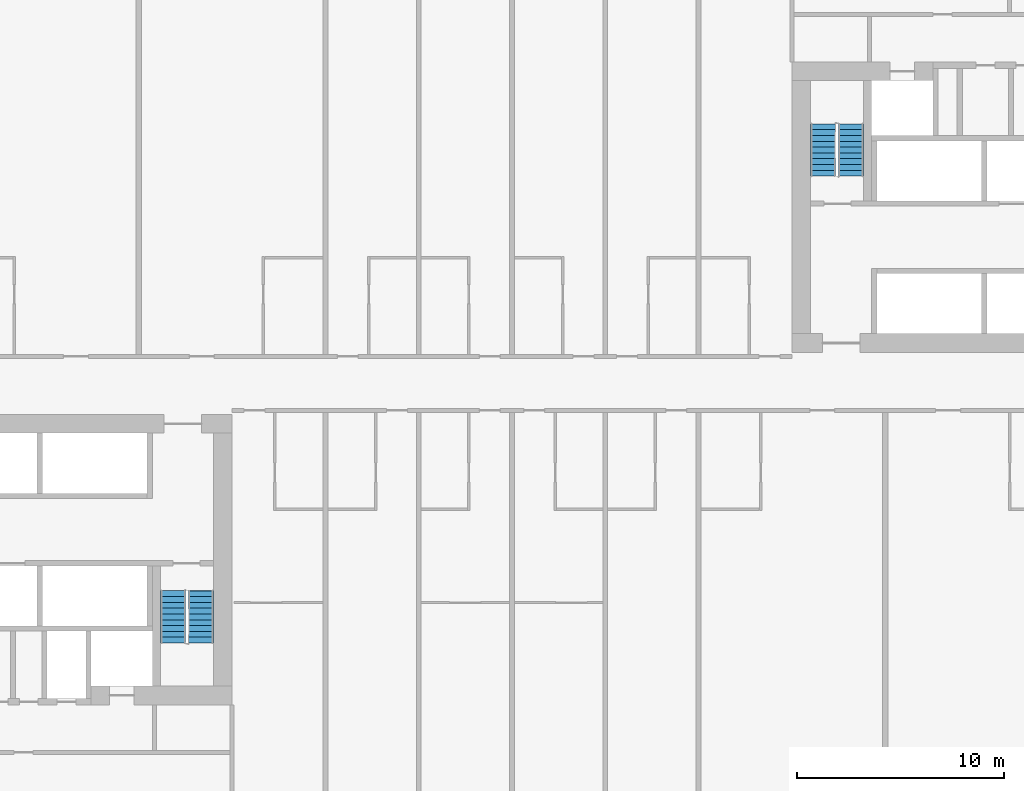
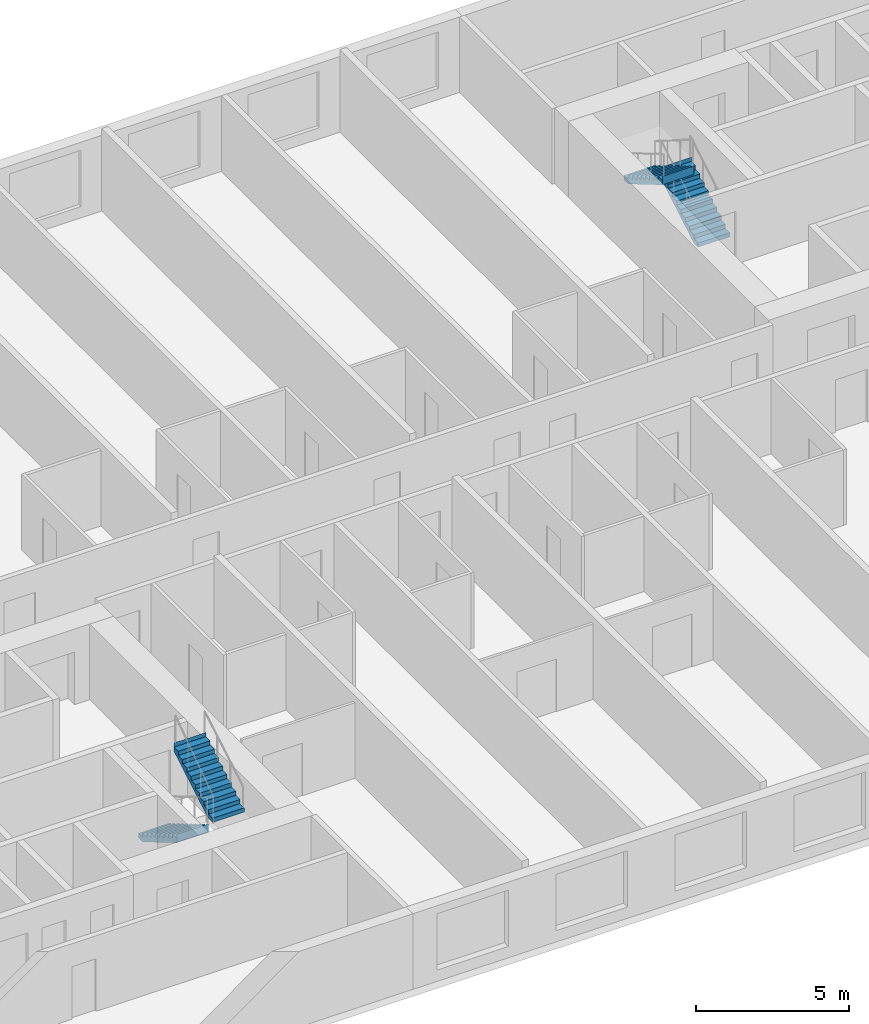
# One storey, part 10 of 12: 4 stair flights, 2 elements without a shape of their own.
"""IFC4 building model written with IfcOpenShell, lengths in metres."""

from ifc_helpers import new_model, si_unit, direction, frame, origin, place, context, subcontext, project, spatial, faceted_brep, material, type_object, element, aggregate, save


model = new_model("IFC4")

# Units and contexts
model_context = context("Model", 3, precision=1e-05, world=origin(), true_north=direction((0.0, 1.0)))
body_context = subcontext(model_context, "Body", "Model", "MODEL_VIEW")
ifc_project = project(units=[si_unit("LENGTHUNIT", "METRE"), si_unit("AREAUNIT", "SQUARE_METRE"), si_unit("VOLUMEUNIT", "CUBIC_METRE"), si_unit("PLANEANGLEUNIT", "RADIAN"), si_unit("MASSUNIT", "GRAM", prefix="KILO")], contexts=[model_context])

# Site, building, storey
site_placement = place(None, origin())
site = spatial("IfcSite", under=ifc_project, at=site_placement, CompositionType="ELEMENT")
building_placement = place(site_placement, origin())
building = spatial("IfcBuilding", under=site, at=building_placement, Name="Kajstack Hotel Tower", CompositionType="ELEMENT")
storey_placement = place(building_placement, frame((0.0, 0.0, 93.0)))
storey = spatial("IfcBuildingStorey", under=building, at=storey_placement, Name="L19", CompositionType="ELEMENT", Elevation=93.0)

# Stair, stair flights
ifc_material = material(Name="Concrete C40/50", Category="concrete")
stair_type = type_object("IfcStairType", Name="Exit stair 1200", PredefinedType="HALF_TURN_STAIR", material=ifc_material)
stair_1_placement = place(storey_placement, origin())
stair_1 = element("IfcStair", 1, at=stair_1_placement, inside=storey, type_object=stair_type, Name="L19 stair W2", PredefinedType="HALF_TURN_STAIR")
stair_flight_type = type_object("IfcStairFlightType", Name="Exit stair flight 1200", PredefinedType="STRAIGHT", material=ifc_material)
stair_flight_1_placement = place(storey_placement, frame((-16.35009765625, -10.0, 0.0), z_axis=(0.0, 0.0, 1.0), x_axis=(0.0, -1.0, 0.0)))
stair_flight_1 = element("IfcStairFlight", 2, at=stair_flight_1_placement, type_object=stair_flight_type, Name="W2 flight 1", NumberOfRisers=10, NumberOfTreads=9, PredefinedType="STRAIGHT", RiserHeight=0.165, TreadLength=0.28, context=body_context, shape_type="Brep", body=[
    faceted_brep([(0.295654296875, -0.60009765625, 0.0), (2.5205078125, -0.60009765625, 1.31103515625), (2.5205078125, -0.60009765625, 1.64990234375), (2.52001953125, -0.60009765625, 1.64990234375), (2.52001953125, -0.60009765625, 1.485107421875), (2.239990234375, -0.60009765625, 1.485107421875), (2.239990234375, -0.60009765625, 1.320068359375), (1.9599609375, -0.60009765625, 1.320068359375), (1.9599609375, -0.60009765625, 1.155029296875), (1.679931640625, -0.60009765625, 1.155029296875), (1.679931640625, -0.60009765625, 0.989990234375), (1.39990234375, -0.60009765625, 0.989990234375), (1.39990234375, -0.60009765625, 0.824951171875), (1.1201171875, -0.60009765625, 0.824951171875), (1.1201171875, -0.60009765625, 0.659912109375), (0.840087890625, -0.60009765625, 0.659912109375), (0.840087890625, -0.60009765625, 0.4951171875), (0.56005859375, -0.60009765625, 0.4951171875), (0.56005859375, -0.60009765625, 0.330078125), (0.280029296875, -0.60009765625, 0.330078125), (0.280029296875, -0.60009765625, 0.1650390625), (-0.00048828125, -0.60009765625, 0.1650390625), (-0.00048828125, -0.60009765625, 0.0), (-0.00048828125, 0.60009765625, 0.0), (-0.00048828125, 0.60009765625, 0.1650390625), (0.280029296875, 0.60009765625, 0.1650390625), (0.280029296875, 0.60009765625, 0.330078125), (0.56005859375, 0.60009765625, 0.330078125), (0.56005859375, 0.60009765625, 0.4951171875), (0.840087890625, 0.60009765625, 0.4951171875), (0.840087890625, 0.60009765625, 0.659912109375), (1.1201171875, 0.60009765625, 0.659912109375), (1.1201171875, 0.60009765625, 0.824951171875), (1.39990234375, 0.60009765625, 0.824951171875), (1.39990234375, 0.60009765625, 0.989990234375), (1.679931640625, 0.60009765625, 0.989990234375), (1.679931640625, 0.60009765625, 1.155029296875), (1.9599609375, 0.60009765625, 1.155029296875), (1.9599609375, 0.60009765625, 1.320068359375), (2.239990234375, 0.60009765625, 1.320068359375), (2.239990234375, 0.60009765625, 1.485107421875), (2.52001953125, 0.60009765625, 1.485107421875), (2.52001953125, 0.60009765625, 1.64990234375), (2.5205078125, 0.60009765625, 1.64990234375), (2.5205078125, 0.60009765625, 1.31103515625), (0.295654296875, 0.60009765625, 0.0), (-0.00048828125, -0.300048828125, 0.1650390625), (-0.00048828125, 0.0, 0.1650390625), (-0.00048828125, 0.300048828125, 0.1650390625), (-0.00048828125, 0.300048828125, 0.0), (-0.00048828125, 0.0, 0.0), (-0.00048828125, -0.300048828125, 0.0), (0.280029296875, -0.300048828125, 0.1650390625), (0.280029296875, 0.0, 0.1650390625), (0.280029296875, 0.300048828125, 0.1650390625), (0.280029296875, -0.300048828125, 0.330078125), (0.280029296875, 0.0, 0.330078125), (0.280029296875, 0.300048828125, 0.330078125), (0.56005859375, -0.300048828125, 0.330078125), (0.56005859375, 0.0, 0.330078125), (0.56005859375, 0.300048828125, 0.330078125), (0.56005859375, -0.300048828125, 0.4951171875), (0.56005859375, 0.0, 0.4951171875), (0.56005859375, 0.300048828125, 0.4951171875), (0.840087890625, -0.300048828125, 0.4951171875), (0.840087890625, 0.0, 0.4951171875), (0.840087890625, 0.300048828125, 0.4951171875), (0.840087890625, -0.300048828125, 0.659912109375), (0.840087890625, 0.0, 0.659912109375), (0.840087890625, 0.300048828125, 0.659912109375), (1.1201171875, -0.300048828125, 0.659912109375), (1.1201171875, 0.0, 0.659912109375), (1.1201171875, 0.300048828125, 0.659912109375), (1.1201171875, -0.300048828125, 0.824951171875), (1.1201171875, 0.0, 0.824951171875), (1.1201171875, 0.300048828125, 0.824951171875), (1.39990234375, -0.300048828125, 0.824951171875), (1.39990234375, 0.0, 0.824951171875), (1.39990234375, 0.300048828125, 0.824951171875), (1.39990234375, -0.300048828125, 0.989990234375), (1.39990234375, 0.0, 0.989990234375), (1.39990234375, 0.300048828125, 0.989990234375), (1.679931640625, -0.300048828125, 0.989990234375), (1.679931640625, 0.0, 0.989990234375), (1.679931640625, 0.300048828125, 0.989990234375), (1.679931640625, -0.300048828125, 1.155029296875), (1.679931640625, 0.0, 1.155029296875), (1.679931640625, 0.300048828125, 1.155029296875), (1.9599609375, -0.300048828125, 1.155029296875), (1.9599609375, 0.0, 1.155029296875), (1.9599609375, 0.300048828125, 1.155029296875), (1.9599609375, -0.300048828125, 1.320068359375), (1.9599609375, 0.0, 1.320068359375), (1.9599609375, 0.300048828125, 1.320068359375), (2.239990234375, -0.300048828125, 1.320068359375), (2.239990234375, 0.0, 1.320068359375), (2.239990234375, 0.300048828125, 1.320068359375), (2.239990234375, -0.300048828125, 1.485107421875), (2.239990234375, 0.0, 1.485107421875), (2.239990234375, 0.300048828125, 1.485107421875), (2.52001953125, -0.300048828125, 1.485107421875), (2.52001953125, 0.0, 1.485107421875), (2.52001953125, 0.300048828125, 1.485107421875), (2.52001953125, -0.300048828125, 1.64990234375), (2.52001953125, 0.0, 1.64990234375), (2.52001953125, 0.300048828125, 1.64990234375), (2.5205078125, -0.300048828125, 1.64990234375), (2.5205078125, 0.0, 1.64990234375), (2.5205078125, 0.300048828125, 1.64990234375), (2.5205078125, -0.300048828125, 1.31103515625), (2.5205078125, 0.0, 1.31103515625), (2.5205078125, 0.300048828125, 1.31103515625), (0.295654296875, -0.300048828125, 0.0), (0.295654296875, 0.0, 0.0), (0.295654296875, 0.300048828125, 0.0)], [[[0, 1, 2, 3, 4, 5, 6, 7, 8, 9, 10, 11, 12, 13, 14, 15, 16, 17, 18, 19, 20, 21, 22]], [[23, 24, 25, 26, 27, 28, 29, 30, 31, 32, 33, 34, 35, 36, 37, 38, 39, 40, 41, 42, 43, 44, 45]], [[21, 46, 47, 48, 24, 23, 49, 50, 51, 22]], [[20, 52, 53, 54, 25, 24, 48, 47, 46, 21]], [[19, 55, 56, 57, 26, 25, 54, 53, 52, 20]], [[18, 58, 59, 60, 27, 26, 57, 56, 55, 19]], [[17, 61, 62, 63, 28, 27, 60, 59, 58, 18]], [[16, 64, 65, 66, 29, 28, 63, 62, 61, 17]], [[15, 67, 68, 69, 30, 29, 66, 65, 64, 16]], [[14, 70, 71, 72, 31, 30, 69, 68, 67, 15]], [[13, 73, 74, 75, 32, 31, 72, 71, 70, 14]], [[12, 76, 77, 78, 33, 32, 75, 74, 73, 13]], [[11, 79, 80, 81, 34, 33, 78, 77, 76, 12]], [[10, 82, 83, 84, 35, 34, 81, 80, 79, 11]], [[9, 85, 86, 87, 36, 35, 84, 83, 82, 10]], [[8, 88, 89, 90, 37, 36, 87, 86, 85, 9]], [[7, 91, 92, 93, 38, 37, 90, 89, 88, 8]], [[6, 94, 95, 96, 39, 38, 93, 92, 91, 7]], [[5, 97, 98, 99, 40, 39, 96, 95, 94, 6]], [[4, 100, 101, 102, 41, 40, 99, 98, 97, 5]], [[3, 103, 104, 105, 42, 41, 102, 101, 100, 4]], [[2, 106, 107, 108, 43, 42, 105, 104, 103, 3]], [[1, 109, 110, 111, 44, 43, 108, 107, 106, 2]], [[0, 112, 113, 114, 45, 44, 111, 110, 109, 1]], [[22, 51, 50, 49, 23, 45, 114, 113, 112, 0]]]),
])
stair_flight_2_placement = place(storey_placement, frame((-15.0, -12.52001953125, 1.64990234375), z_axis=(0.0, 0.0, 1.0), x_axis=(0.0, 1.0, 0.0)))
stair_flight_2 = element("IfcStairFlight", 3, at=stair_flight_2_placement, type_object=stair_flight_type, Name="W2 flight 2", NumberOfRisers=10, NumberOfTreads=9, PredefinedType="STRAIGHT", RiserHeight=0.165, TreadLength=0.28, context=body_context, shape_type="Brep", body=[
    faceted_brep([(0.295654296875, -0.60009765625, 0.0), (2.5205078125, -0.60009765625, 1.31103515625), (2.5205078125, -0.60009765625, 1.64990234375), (2.52001953125, -0.60009765625, 1.64990234375), (2.52001953125, -0.60009765625, 1.485107421875), (2.239990234375, -0.60009765625, 1.485107421875), (2.239990234375, -0.60009765625, 1.320068359375), (1.9599609375, -0.60009765625, 1.320068359375), (1.9599609375, -0.60009765625, 1.155029296875), (1.679931640625, -0.60009765625, 1.155029296875), (1.679931640625, -0.60009765625, 0.989990234375), (1.39990234375, -0.60009765625, 0.989990234375), (1.39990234375, -0.60009765625, 0.824951171875), (1.1201171875, -0.60009765625, 0.824951171875), (1.1201171875, -0.60009765625, 0.659912109375), (0.840087890625, -0.60009765625, 0.659912109375), (0.840087890625, -0.60009765625, 0.4951171875), (0.56005859375, -0.60009765625, 0.4951171875), (0.56005859375, -0.60009765625, 0.330078125), (0.280029296875, -0.60009765625, 0.330078125), (0.280029296875, -0.60009765625, 0.1650390625), (-0.00048828125, -0.60009765625, 0.1650390625), (-0.00048828125, -0.60009765625, 0.0), (-0.00048828125, 0.60009765625, 0.0), (-0.00048828125, 0.60009765625, 0.1650390625), (0.280029296875, 0.60009765625, 0.1650390625), (0.280029296875, 0.60009765625, 0.330078125), (0.56005859375, 0.60009765625, 0.330078125), (0.56005859375, 0.60009765625, 0.4951171875), (0.840087890625, 0.60009765625, 0.4951171875), (0.840087890625, 0.60009765625, 0.659912109375), (1.1201171875, 0.60009765625, 0.659912109375), (1.1201171875, 0.60009765625, 0.824951171875), (1.39990234375, 0.60009765625, 0.824951171875), (1.39990234375, 0.60009765625, 0.989990234375), (1.679931640625, 0.60009765625, 0.989990234375), (1.679931640625, 0.60009765625, 1.155029296875), (1.9599609375, 0.60009765625, 1.155029296875), (1.9599609375, 0.60009765625, 1.320068359375), (2.239990234375, 0.60009765625, 1.320068359375), (2.239990234375, 0.60009765625, 1.485107421875), (2.52001953125, 0.60009765625, 1.485107421875), (2.52001953125, 0.60009765625, 1.64990234375), (2.5205078125, 0.60009765625, 1.64990234375), (2.5205078125, 0.60009765625, 1.31103515625), (0.295654296875, 0.60009765625, 0.0), (-0.00048828125, -0.300048828125, 0.1650390625), (-0.00048828125, 0.0, 0.1650390625), (-0.00048828125, 0.300048828125, 0.1650390625), (-0.00048828125, 0.300048828125, 0.0), (-0.00048828125, 0.0, 0.0), (-0.00048828125, -0.300048828125, 0.0), (0.280029296875, -0.300048828125, 0.1650390625), (0.280029296875, 0.0, 0.1650390625), (0.280029296875, 0.300048828125, 0.1650390625), (0.280029296875, -0.300048828125, 0.330078125), (0.280029296875, 0.0, 0.330078125), (0.280029296875, 0.300048828125, 0.330078125), (0.56005859375, -0.300048828125, 0.330078125), (0.56005859375, 0.0, 0.330078125), (0.56005859375, 0.300048828125, 0.330078125), (0.56005859375, -0.300048828125, 0.4951171875), (0.56005859375, 0.0, 0.4951171875), (0.56005859375, 0.300048828125, 0.4951171875), (0.840087890625, -0.300048828125, 0.4951171875), (0.840087890625, 0.0, 0.4951171875), (0.840087890625, 0.300048828125, 0.4951171875), (0.840087890625, -0.300048828125, 0.659912109375), (0.840087890625, 0.0, 0.659912109375), (0.840087890625, 0.300048828125, 0.659912109375), (1.1201171875, -0.300048828125, 0.659912109375), (1.1201171875, 0.0, 0.659912109375), (1.1201171875, 0.300048828125, 0.659912109375), (1.1201171875, -0.300048828125, 0.824951171875), (1.1201171875, 0.0, 0.824951171875), (1.1201171875, 0.300048828125, 0.824951171875), (1.39990234375, -0.300048828125, 0.824951171875), (1.39990234375, 0.0, 0.824951171875), (1.39990234375, 0.300048828125, 0.824951171875), (1.39990234375, -0.300048828125, 0.989990234375), (1.39990234375, 0.0, 0.989990234375), (1.39990234375, 0.300048828125, 0.989990234375), (1.679931640625, -0.300048828125, 0.989990234375), (1.679931640625, 0.0, 0.989990234375), (1.679931640625, 0.300048828125, 0.989990234375), (1.679931640625, -0.300048828125, 1.155029296875), (1.679931640625, 0.0, 1.155029296875), (1.679931640625, 0.300048828125, 1.155029296875), (1.9599609375, -0.300048828125, 1.155029296875), (1.9599609375, 0.0, 1.155029296875), (1.9599609375, 0.300048828125, 1.155029296875), (1.9599609375, -0.300048828125, 1.320068359375), (1.9599609375, 0.0, 1.320068359375), (1.9599609375, 0.300048828125, 1.320068359375), (2.239990234375, -0.300048828125, 1.320068359375), (2.239990234375, 0.0, 1.320068359375), (2.239990234375, 0.300048828125, 1.320068359375), (2.239990234375, -0.300048828125, 1.485107421875), (2.239990234375, 0.0, 1.485107421875), (2.239990234375, 0.300048828125, 1.485107421875), (2.52001953125, -0.300048828125, 1.485107421875), (2.52001953125, 0.0, 1.485107421875), (2.52001953125, 0.300048828125, 1.485107421875), (2.52001953125, -0.300048828125, 1.64990234375), (2.52001953125, 0.0, 1.64990234375), (2.52001953125, 0.300048828125, 1.64990234375), (2.5205078125, -0.300048828125, 1.64990234375), (2.5205078125, 0.0, 1.64990234375), (2.5205078125, 0.300048828125, 1.64990234375), (2.5205078125, -0.300048828125, 1.31103515625), (2.5205078125, 0.0, 1.31103515625), (2.5205078125, 0.300048828125, 1.31103515625), (0.295654296875, -0.300048828125, 0.0), (0.295654296875, 0.0, 0.0), (0.295654296875, 0.300048828125, 0.0)], [[[0, 1, 2, 3, 4, 5, 6, 7, 8, 9, 10, 11, 12, 13, 14, 15, 16, 17, 18, 19, 20, 21, 22]], [[23, 24, 25, 26, 27, 28, 29, 30, 31, 32, 33, 34, 35, 36, 37, 38, 39, 40, 41, 42, 43, 44, 45]], [[21, 46, 47, 48, 24, 23, 49, 50, 51, 22]], [[20, 52, 53, 54, 25, 24, 48, 47, 46, 21]], [[19, 55, 56, 57, 26, 25, 54, 53, 52, 20]], [[18, 58, 59, 60, 27, 26, 57, 56, 55, 19]], [[17, 61, 62, 63, 28, 27, 60, 59, 58, 18]], [[16, 64, 65, 66, 29, 28, 63, 62, 61, 17]], [[15, 67, 68, 69, 30, 29, 66, 65, 64, 16]], [[14, 70, 71, 72, 31, 30, 69, 68, 67, 15]], [[13, 73, 74, 75, 32, 31, 72, 71, 70, 14]], [[12, 76, 77, 78, 33, 32, 75, 74, 73, 13]], [[11, 79, 80, 81, 34, 33, 78, 77, 76, 12]], [[10, 82, 83, 84, 35, 34, 81, 80, 79, 11]], [[9, 85, 86, 87, 36, 35, 84, 83, 82, 10]], [[8, 88, 89, 90, 37, 36, 87, 86, 85, 9]], [[7, 91, 92, 93, 38, 37, 90, 89, 88, 8]], [[6, 94, 95, 96, 39, 38, 93, 92, 91, 7]], [[5, 97, 98, 99, 40, 39, 96, 95, 94, 6]], [[4, 100, 101, 102, 41, 40, 99, 98, 97, 5]], [[3, 103, 104, 105, 42, 41, 102, 101, 100, 4]], [[2, 106, 107, 108, 43, 42, 105, 104, 103, 3]], [[1, 109, 110, 111, 44, 43, 108, 107, 106, 2]], [[0, 112, 113, 114, 45, 44, 111, 110, 109, 1]], [[22, 51, 50, 49, 23, 45, 114, 113, 112, 0]]]),
])
aggregate(stair_1, [stair_flight_1, stair_flight_2])

stair_2_placement = place(storey_placement, origin())
stair_2 = element("IfcStair", 4, at=stair_2_placement, inside=storey, type_object=stair_type, Name="L19 stair E2", PredefinedType="HALF_TURN_STAIR")
stair_flight_3_placement = place(storey_placement, frame((16.35009765625, 10.0, 0.0), z_axis=(0.0, 0.0, 1.0), x_axis=(0.0, 1.0, 0.0)))
stair_flight_3 = element("IfcStairFlight", 5, at=stair_flight_3_placement, type_object=stair_flight_type, Name="E2 flight 1", NumberOfRisers=10, NumberOfTreads=9, PredefinedType="STRAIGHT", RiserHeight=0.165, TreadLength=0.28, context=body_context, shape_type="Brep", body=[
    faceted_brep([(0.295654296875, -0.60009765625, 0.0), (2.5205078125, -0.60009765625, 1.31103515625), (2.5205078125, -0.60009765625, 1.64990234375), (2.52001953125, -0.60009765625, 1.64990234375), (2.52001953125, -0.60009765625, 1.485107421875), (2.239990234375, -0.60009765625, 1.485107421875), (2.239990234375, -0.60009765625, 1.320068359375), (1.9599609375, -0.60009765625, 1.320068359375), (1.9599609375, -0.60009765625, 1.155029296875), (1.679931640625, -0.60009765625, 1.155029296875), (1.679931640625, -0.60009765625, 0.989990234375), (1.39990234375, -0.60009765625, 0.989990234375), (1.39990234375, -0.60009765625, 0.824951171875), (1.1201171875, -0.60009765625, 0.824951171875), (1.1201171875, -0.60009765625, 0.659912109375), (0.840087890625, -0.60009765625, 0.659912109375), (0.840087890625, -0.60009765625, 0.4951171875), (0.56005859375, -0.60009765625, 0.4951171875), (0.56005859375, -0.60009765625, 0.330078125), (0.280029296875, -0.60009765625, 0.330078125), (0.280029296875, -0.60009765625, 0.1650390625), (-0.00048828125, -0.60009765625, 0.1650390625), (-0.00048828125, -0.60009765625, 0.0), (-0.00048828125, 0.60009765625, 0.0), (-0.00048828125, 0.60009765625, 0.1650390625), (0.280029296875, 0.60009765625, 0.1650390625), (0.280029296875, 0.60009765625, 0.330078125), (0.56005859375, 0.60009765625, 0.330078125), (0.56005859375, 0.60009765625, 0.4951171875), (0.840087890625, 0.60009765625, 0.4951171875), (0.840087890625, 0.60009765625, 0.659912109375), (1.1201171875, 0.60009765625, 0.659912109375), (1.1201171875, 0.60009765625, 0.824951171875), (1.39990234375, 0.60009765625, 0.824951171875), (1.39990234375, 0.60009765625, 0.989990234375), (1.679931640625, 0.60009765625, 0.989990234375), (1.679931640625, 0.60009765625, 1.155029296875), (1.9599609375, 0.60009765625, 1.155029296875), (1.9599609375, 0.60009765625, 1.320068359375), (2.239990234375, 0.60009765625, 1.320068359375), (2.239990234375, 0.60009765625, 1.485107421875), (2.52001953125, 0.60009765625, 1.485107421875), (2.52001953125, 0.60009765625, 1.64990234375), (2.5205078125, 0.60009765625, 1.64990234375), (2.5205078125, 0.60009765625, 1.31103515625), (0.295654296875, 0.60009765625, 0.0), (-0.00048828125, -0.300048828125, 0.1650390625), (-0.00048828125, 0.0, 0.1650390625), (-0.00048828125, 0.300048828125, 0.1650390625), (-0.00048828125, 0.300048828125, 0.0), (-0.00048828125, 0.0, 0.0), (-0.00048828125, -0.300048828125, 0.0), (0.280029296875, -0.300048828125, 0.1650390625), (0.280029296875, 0.0, 0.1650390625), (0.280029296875, 0.300048828125, 0.1650390625), (0.280029296875, -0.300048828125, 0.330078125), (0.280029296875, 0.0, 0.330078125), (0.280029296875, 0.300048828125, 0.330078125), (0.56005859375, -0.300048828125, 0.330078125), (0.56005859375, 0.0, 0.330078125), (0.56005859375, 0.300048828125, 0.330078125), (0.56005859375, -0.300048828125, 0.4951171875), (0.56005859375, 0.0, 0.4951171875), (0.56005859375, 0.300048828125, 0.4951171875), (0.840087890625, -0.300048828125, 0.4951171875), (0.840087890625, 0.0, 0.4951171875), (0.840087890625, 0.300048828125, 0.4951171875), (0.840087890625, -0.300048828125, 0.659912109375), (0.840087890625, 0.0, 0.659912109375), (0.840087890625, 0.300048828125, 0.659912109375), (1.1201171875, -0.300048828125, 0.659912109375), (1.1201171875, 0.0, 0.659912109375), (1.1201171875, 0.300048828125, 0.659912109375), (1.1201171875, -0.300048828125, 0.824951171875), (1.1201171875, 0.0, 0.824951171875), (1.1201171875, 0.300048828125, 0.824951171875), (1.39990234375, -0.300048828125, 0.824951171875), (1.39990234375, 0.0, 0.824951171875), (1.39990234375, 0.300048828125, 0.824951171875), (1.39990234375, -0.300048828125, 0.989990234375), (1.39990234375, 0.0, 0.989990234375), (1.39990234375, 0.300048828125, 0.989990234375), (1.679931640625, -0.300048828125, 0.989990234375), (1.679931640625, 0.0, 0.989990234375), (1.679931640625, 0.300048828125, 0.989990234375), (1.679931640625, -0.300048828125, 1.155029296875), (1.679931640625, 0.0, 1.155029296875), (1.679931640625, 0.300048828125, 1.155029296875), (1.9599609375, -0.300048828125, 1.155029296875), (1.9599609375, 0.0, 1.155029296875), (1.9599609375, 0.300048828125, 1.155029296875), (1.9599609375, -0.300048828125, 1.320068359375), (1.9599609375, 0.0, 1.320068359375), (1.9599609375, 0.300048828125, 1.320068359375), (2.239990234375, -0.300048828125, 1.320068359375), (2.239990234375, 0.0, 1.320068359375), (2.239990234375, 0.300048828125, 1.320068359375), (2.239990234375, -0.300048828125, 1.485107421875), (2.239990234375, 0.0, 1.485107421875), (2.239990234375, 0.300048828125, 1.485107421875), (2.52001953125, -0.300048828125, 1.485107421875), (2.52001953125, 0.0, 1.485107421875), (2.52001953125, 0.300048828125, 1.485107421875), (2.52001953125, -0.300048828125, 1.64990234375), (2.52001953125, 0.0, 1.64990234375), (2.52001953125, 0.300048828125, 1.64990234375), (2.5205078125, -0.300048828125, 1.64990234375), (2.5205078125, 0.0, 1.64990234375), (2.5205078125, 0.300048828125, 1.64990234375), (2.5205078125, -0.300048828125, 1.31103515625), (2.5205078125, 0.0, 1.31103515625), (2.5205078125, 0.300048828125, 1.31103515625), (0.295654296875, -0.300048828125, 0.0), (0.295654296875, 0.0, 0.0), (0.295654296875, 0.300048828125, 0.0)], [[[0, 1, 2, 3, 4, 5, 6, 7, 8, 9, 10, 11, 12, 13, 14, 15, 16, 17, 18, 19, 20, 21, 22]], [[23, 24, 25, 26, 27, 28, 29, 30, 31, 32, 33, 34, 35, 36, 37, 38, 39, 40, 41, 42, 43, 44, 45]], [[21, 46, 47, 48, 24, 23, 49, 50, 51, 22]], [[20, 52, 53, 54, 25, 24, 48, 47, 46, 21]], [[19, 55, 56, 57, 26, 25, 54, 53, 52, 20]], [[18, 58, 59, 60, 27, 26, 57, 56, 55, 19]], [[17, 61, 62, 63, 28, 27, 60, 59, 58, 18]], [[16, 64, 65, 66, 29, 28, 63, 62, 61, 17]], [[15, 67, 68, 69, 30, 29, 66, 65, 64, 16]], [[14, 70, 71, 72, 31, 30, 69, 68, 67, 15]], [[13, 73, 74, 75, 32, 31, 72, 71, 70, 14]], [[12, 76, 77, 78, 33, 32, 75, 74, 73, 13]], [[11, 79, 80, 81, 34, 33, 78, 77, 76, 12]], [[10, 82, 83, 84, 35, 34, 81, 80, 79, 11]], [[9, 85, 86, 87, 36, 35, 84, 83, 82, 10]], [[8, 88, 89, 90, 37, 36, 87, 86, 85, 9]], [[7, 91, 92, 93, 38, 37, 90, 89, 88, 8]], [[6, 94, 95, 96, 39, 38, 93, 92, 91, 7]], [[5, 97, 98, 99, 40, 39, 96, 95, 94, 6]], [[4, 100, 101, 102, 41, 40, 99, 98, 97, 5]], [[3, 103, 104, 105, 42, 41, 102, 101, 100, 4]], [[2, 106, 107, 108, 43, 42, 105, 104, 103, 3]], [[1, 109, 110, 111, 44, 43, 108, 107, 106, 2]], [[0, 112, 113, 114, 45, 44, 111, 110, 109, 1]], [[22, 51, 50, 49, 23, 45, 114, 113, 112, 0]]]),
])
stair_flight_4_placement = place(storey_placement, frame((15.0, 12.52001953125, 1.64990234375), z_axis=(0.0, 0.0, 1.0), x_axis=(0.0, -1.0, 0.0)))
stair_flight_4 = element("IfcStairFlight", 6, at=stair_flight_4_placement, type_object=stair_flight_type, Name="E2 flight 2", NumberOfRisers=10, NumberOfTreads=9, PredefinedType="STRAIGHT", RiserHeight=0.165, TreadLength=0.28, context=body_context, shape_type="Brep", body=[
    faceted_brep([(0.295654296875, -0.60009765625, 0.0), (2.5205078125, -0.60009765625, 1.31103515625), (2.5205078125, -0.60009765625, 1.64990234375), (2.52001953125, -0.60009765625, 1.64990234375), (2.52001953125, -0.60009765625, 1.485107421875), (2.239990234375, -0.60009765625, 1.485107421875), (2.239990234375, -0.60009765625, 1.320068359375), (1.9599609375, -0.60009765625, 1.320068359375), (1.9599609375, -0.60009765625, 1.155029296875), (1.679931640625, -0.60009765625, 1.155029296875), (1.679931640625, -0.60009765625, 0.989990234375), (1.39990234375, -0.60009765625, 0.989990234375), (1.39990234375, -0.60009765625, 0.824951171875), (1.1201171875, -0.60009765625, 0.824951171875), (1.1201171875, -0.60009765625, 0.659912109375), (0.840087890625, -0.60009765625, 0.659912109375), (0.840087890625, -0.60009765625, 0.4951171875), (0.56005859375, -0.60009765625, 0.4951171875), (0.56005859375, -0.60009765625, 0.330078125), (0.280029296875, -0.60009765625, 0.330078125), (0.280029296875, -0.60009765625, 0.1650390625), (-0.00048828125, -0.60009765625, 0.1650390625), (-0.00048828125, -0.60009765625, 0.0), (-0.00048828125, 0.60009765625, 0.0), (-0.00048828125, 0.60009765625, 0.1650390625), (0.280029296875, 0.60009765625, 0.1650390625), (0.280029296875, 0.60009765625, 0.330078125), (0.56005859375, 0.60009765625, 0.330078125), (0.56005859375, 0.60009765625, 0.4951171875), (0.840087890625, 0.60009765625, 0.4951171875), (0.840087890625, 0.60009765625, 0.659912109375), (1.1201171875, 0.60009765625, 0.659912109375), (1.1201171875, 0.60009765625, 0.824951171875), (1.39990234375, 0.60009765625, 0.824951171875), (1.39990234375, 0.60009765625, 0.989990234375), (1.679931640625, 0.60009765625, 0.989990234375), (1.679931640625, 0.60009765625, 1.155029296875), (1.9599609375, 0.60009765625, 1.155029296875), (1.9599609375, 0.60009765625, 1.320068359375), (2.239990234375, 0.60009765625, 1.320068359375), (2.239990234375, 0.60009765625, 1.485107421875), (2.52001953125, 0.60009765625, 1.485107421875), (2.52001953125, 0.60009765625, 1.64990234375), (2.5205078125, 0.60009765625, 1.64990234375), (2.5205078125, 0.60009765625, 1.31103515625), (0.295654296875, 0.60009765625, 0.0), (-0.00048828125, -0.300048828125, 0.1650390625), (-0.00048828125, 0.0, 0.1650390625), (-0.00048828125, 0.300048828125, 0.1650390625), (-0.00048828125, 0.300048828125, 0.0), (-0.00048828125, 0.0, 0.0), (-0.00048828125, -0.300048828125, 0.0), (0.280029296875, -0.300048828125, 0.1650390625), (0.280029296875, 0.0, 0.1650390625), (0.280029296875, 0.300048828125, 0.1650390625), (0.280029296875, -0.300048828125, 0.330078125), (0.280029296875, 0.0, 0.330078125), (0.280029296875, 0.300048828125, 0.330078125), (0.56005859375, -0.300048828125, 0.330078125), (0.56005859375, 0.0, 0.330078125), (0.56005859375, 0.300048828125, 0.330078125), (0.56005859375, -0.300048828125, 0.4951171875), (0.56005859375, 0.0, 0.4951171875), (0.56005859375, 0.300048828125, 0.4951171875), (0.840087890625, -0.300048828125, 0.4951171875), (0.840087890625, 0.0, 0.4951171875), (0.840087890625, 0.300048828125, 0.4951171875), (0.840087890625, -0.300048828125, 0.659912109375), (0.840087890625, 0.0, 0.659912109375), (0.840087890625, 0.300048828125, 0.659912109375), (1.1201171875, -0.300048828125, 0.659912109375), (1.1201171875, 0.0, 0.659912109375), (1.1201171875, 0.300048828125, 0.659912109375), (1.1201171875, -0.300048828125, 0.824951171875), (1.1201171875, 0.0, 0.824951171875), (1.1201171875, 0.300048828125, 0.824951171875), (1.39990234375, -0.300048828125, 0.824951171875), (1.39990234375, 0.0, 0.824951171875), (1.39990234375, 0.300048828125, 0.824951171875), (1.39990234375, -0.300048828125, 0.989990234375), (1.39990234375, 0.0, 0.989990234375), (1.39990234375, 0.300048828125, 0.989990234375), (1.679931640625, -0.300048828125, 0.989990234375), (1.679931640625, 0.0, 0.989990234375), (1.679931640625, 0.300048828125, 0.989990234375), (1.679931640625, -0.300048828125, 1.155029296875), (1.679931640625, 0.0, 1.155029296875), (1.679931640625, 0.300048828125, 1.155029296875), (1.9599609375, -0.300048828125, 1.155029296875), (1.9599609375, 0.0, 1.155029296875), (1.9599609375, 0.300048828125, 1.155029296875), (1.9599609375, -0.300048828125, 1.320068359375), (1.9599609375, 0.0, 1.320068359375), (1.9599609375, 0.300048828125, 1.320068359375), (2.239990234375, -0.300048828125, 1.320068359375), (2.239990234375, 0.0, 1.320068359375), (2.239990234375, 0.300048828125, 1.320068359375), (2.239990234375, -0.300048828125, 1.485107421875), (2.239990234375, 0.0, 1.485107421875), (2.239990234375, 0.300048828125, 1.485107421875), (2.52001953125, -0.300048828125, 1.485107421875), (2.52001953125, 0.0, 1.485107421875), (2.52001953125, 0.300048828125, 1.485107421875), (2.52001953125, -0.300048828125, 1.64990234375), (2.52001953125, 0.0, 1.64990234375), (2.52001953125, 0.300048828125, 1.64990234375), (2.5205078125, -0.300048828125, 1.64990234375), (2.5205078125, 0.0, 1.64990234375), (2.5205078125, 0.300048828125, 1.64990234375), (2.5205078125, -0.300048828125, 1.31103515625), (2.5205078125, 0.0, 1.31103515625), (2.5205078125, 0.300048828125, 1.31103515625), (0.295654296875, -0.300048828125, 0.0), (0.295654296875, 0.0, 0.0), (0.295654296875, 0.300048828125, 0.0)], [[[0, 1, 2, 3, 4, 5, 6, 7, 8, 9, 10, 11, 12, 13, 14, 15, 16, 17, 18, 19, 20, 21, 22]], [[23, 24, 25, 26, 27, 28, 29, 30, 31, 32, 33, 34, 35, 36, 37, 38, 39, 40, 41, 42, 43, 44, 45]], [[21, 46, 47, 48, 24, 23, 49, 50, 51, 22]], [[20, 52, 53, 54, 25, 24, 48, 47, 46, 21]], [[19, 55, 56, 57, 26, 25, 54, 53, 52, 20]], [[18, 58, 59, 60, 27, 26, 57, 56, 55, 19]], [[17, 61, 62, 63, 28, 27, 60, 59, 58, 18]], [[16, 64, 65, 66, 29, 28, 63, 62, 61, 17]], [[15, 67, 68, 69, 30, 29, 66, 65, 64, 16]], [[14, 70, 71, 72, 31, 30, 69, 68, 67, 15]], [[13, 73, 74, 75, 32, 31, 72, 71, 70, 14]], [[12, 76, 77, 78, 33, 32, 75, 74, 73, 13]], [[11, 79, 80, 81, 34, 33, 78, 77, 76, 12]], [[10, 82, 83, 84, 35, 34, 81, 80, 79, 11]], [[9, 85, 86, 87, 36, 35, 84, 83, 82, 10]], [[8, 88, 89, 90, 37, 36, 87, 86, 85, 9]], [[7, 91, 92, 93, 38, 37, 90, 89, 88, 8]], [[6, 94, 95, 96, 39, 38, 93, 92, 91, 7]], [[5, 97, 98, 99, 40, 39, 96, 95, 94, 6]], [[4, 100, 101, 102, 41, 40, 99, 98, 97, 5]], [[3, 103, 104, 105, 42, 41, 102, 101, 100, 4]], [[2, 106, 107, 108, 43, 42, 105, 104, 103, 3]], [[1, 109, 110, 111, 44, 43, 108, 107, 106, 2]], [[0, 112, 113, 114, 45, 44, 111, 110, 109, 1]], [[22, 51, 50, 49, 23, 45, 114, 113, 112, 0]]]),
])
aggregate(stair_2, [stair_flight_3, stair_flight_4])

save(model, "model.ifc")
